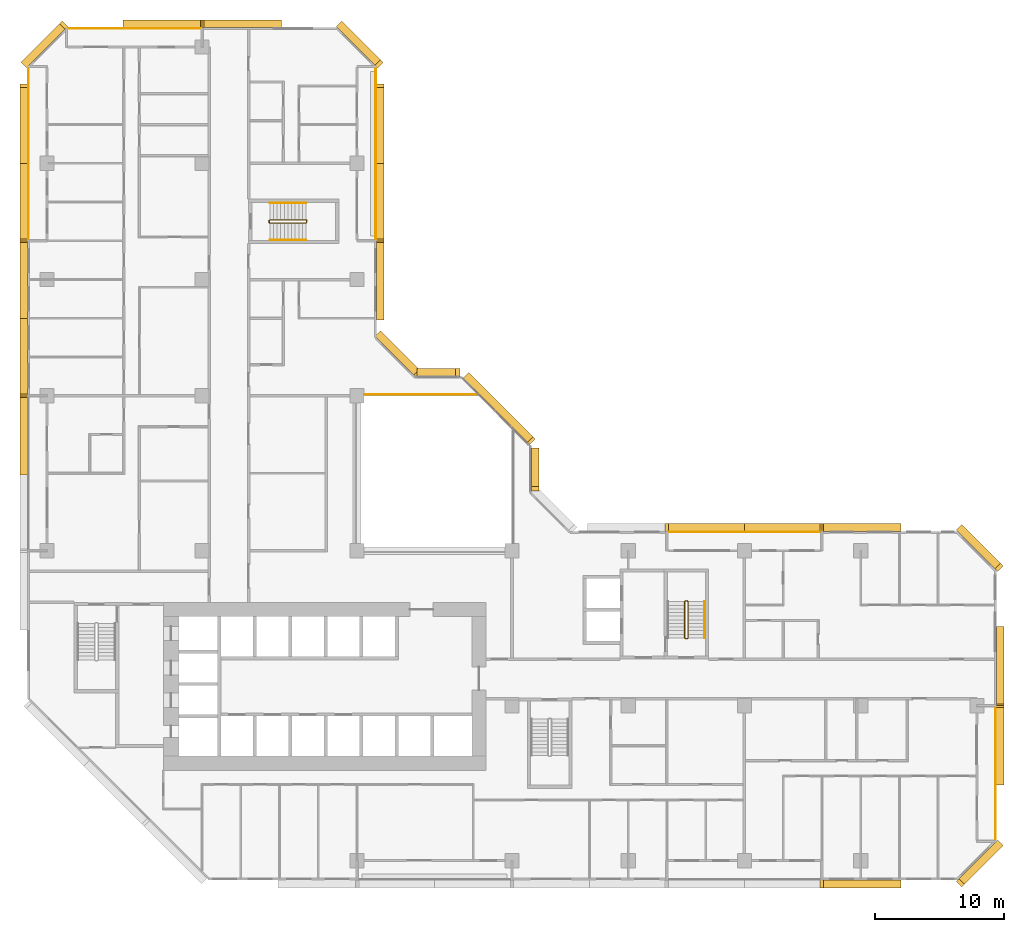
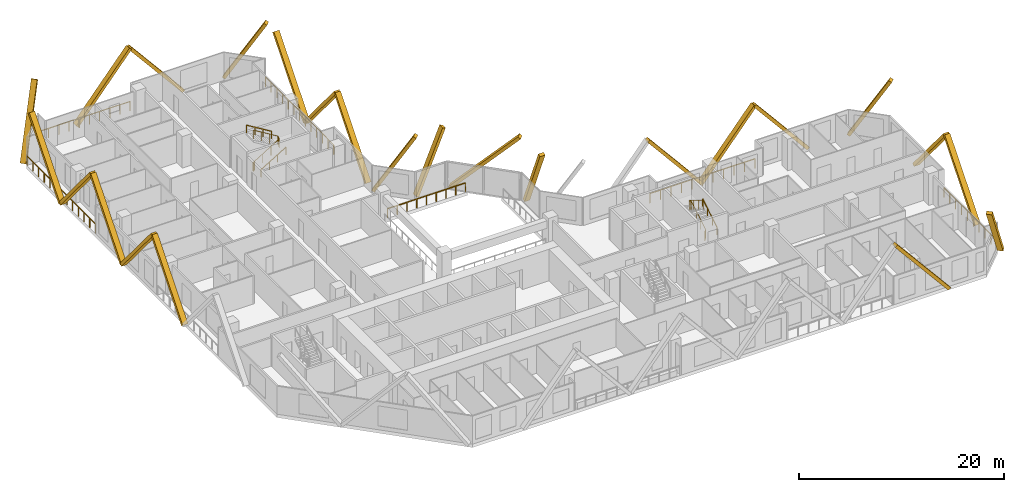
# One storey, part 15 of 15: 24 coverings, 11 railings.
"""IFC4 building model written with IfcOpenShell, lengths in metres."""

import ifcopenshell
import ifcopenshell.guid

model = None  # the IFC model being written
_history = None  # IfcOwnerHistory: only IFC2X3 demands one
_inside = {}  # id of a spatial element -> (the spatial element, [elements in it])
_under = {}  # id of a project, library or spatial element -> (it, [spatial elements below it])
_declared = {}  # id of a project -> (the project, [libraries it declares])
_typed = {}  # id of a type object -> (the type object, [elements of that type])
_made_of = {}  # id of a material, layer set ... -> (it, [elements and type objects made of it])


def new_model(schema):
    """Start an empty IFC model of exactly this schema.

    Asked for "IFC4X3", IfcOpenShell would pick the latest addendum, in which some entities
    have other attributes; the version numbers below select the first issue.
    IFC2X3 requires an IfcOwnerHistory on every rooted entity: one is made here for all.
    """
    global model, _history
    if schema == "IFC4X3":
        model = ifcopenshell.file(schema_version=(4, 3, 0, 0))
    else:
        model = ifcopenshell.file(schema=schema)
    _inside.clear()
    _under.clear()
    _declared.clear()
    _typed.clear()
    _made_of.clear()
    _history = None
    if model.schema == "IFC2X3":
        org = make("IfcOrganization", Name="unknown")
        user = make(
            "IfcPersonAndOrganization",
            ThePerson=make("IfcPerson", FamilyName="unknown"),
            TheOrganization=org,
        )
        app = make(
            "IfcApplication",
            ApplicationDeveloper=org,
            Version="unknown",
            ApplicationFullName="unknown",
            ApplicationIdentifier="unknown",
        )
        _history = make(
            "IfcOwnerHistory",
            OwningUser=user,
            OwningApplication=app,
            ChangeAction="ADDED",
            CreationDate=0,
        )
    return model


def make(cls, **values):
    """One entity of the class cls with the attributes given. An attribute that is None is left unset."""
    return model.create_entity(
        cls, **{name: value for name, value in values.items() if value is not None}
    )


def rooted(cls, **values):
    """An entity with a GlobalId (a new one), such as an element, a storey or a relation."""
    return make(cls, GlobalId=ifcopenshell.guid.new(), OwnerHistory=_history, **values)


def si_unit(unit_type, name, prefix=None):
    """IfcSIUnit, for example si_unit("LENGTHUNIT", "METRE", prefix="MILLI")."""
    return make("IfcSIUnit", UnitType=unit_type, Prefix=prefix, Name=name)


def assignment(units):
    """IfcUnitAssignment: the units of a project."""
    return None if units is None else make("IfcUnitAssignment", Units=units)


def point(xyz):
    """IfcCartesianPoint."""
    return None if xyz is None else make("IfcCartesianPoint", Coordinates=xyz)


def direction(xyz):
    """IfcDirection."""
    return None if xyz is None else make("IfcDirection", DirectionRatios=xyz)


def frame(location, z_axis=None, x_axis=None):
    """IfcAxis2Placement3D, a coordinate frame: its origin and axes. An axis left out is left unset."""
    return make(
        "IfcAxis2Placement3D",
        Location=point(location),
        Axis=direction(z_axis),
        RefDirection=direction(x_axis),
    )


def frame_2d(location, x_axis=None):
    """IfcAxis2Placement2D, a coordinate frame in the plane: its origin and x axis."""
    return make(
        "IfcAxis2Placement2D", Location=point(location), RefDirection=direction(x_axis)
    )


def origin():
    """The frame at (0, 0, 0) with its axes left unset."""
    return frame((0.0, 0.0, 0.0))


def origin_2d():
    """The frame at (0, 0) in the plane with its x axis left unset."""
    return frame_2d((0.0, 0.0))


def place(relative_to, where):
    """IfcLocalPlacement: puts the frame where relative to a parent placement (None: the world)."""
    return make(
        "IfcLocalPlacement", PlacementRelTo=relative_to, RelativePlacement=where
    )


def context(
    kind, dimensions, precision=None, world=None, true_north=None, identifier=None
):
    """IfcGeometricRepresentationContext, for example the 3D "Model" context."""
    return make(
        "IfcGeometricRepresentationContext",
        ContextIdentifier=identifier,
        ContextType=kind,
        CoordinateSpaceDimension=dimensions,
        Precision=precision,
        WorldCoordinateSystem=world,
        TrueNorth=true_north,
    )


def subcontext(parent, identifier, kind, view, scale=None):
    """IfcGeometricRepresentationSubContext, for example "Body" below "Model"."""
    return make(
        "IfcGeometricRepresentationSubContext",
        ContextIdentifier=identifier,
        ContextType=kind,
        ParentContext=parent,
        TargetScale=scale,
        TargetView=view,
    )


def project(units=None, contexts=None):
    """IfcProject with its units and contexts."""
    return rooted(
        "IfcProject",
        Name="project",
        RepresentationContexts=contexts,
        UnitsInContext=assignment(units),
    )


def spatial(cls, under=None, at=None, **own):
    """A site, building, storey or space (cls), placed at a placement, below another one or the project."""
    s = rooted(cls, ObjectPlacement=at, **own)
    if under is not None:
        _under.setdefault(under.id(), (under, []))[1].append(s)
    return s


def profile(cls, at=None, kind="AREA", **sizes):
    """A parametric profile (cls). Its sizes go by their IFC names, for example OverallWidth=200.0."""
    return make(cls, ProfileType=kind, Position=at, **sizes)


def rectangle(**sizes):
    """IfcRectangleProfileDef."""
    return profile("IfcRectangleProfileDef", **sizes)


def extrude(swept, where, along, depth):
    """IfcExtrudedAreaSolid: the profile swept, set in the frame where, extruded along a direction by depth."""
    return make(
        "IfcExtrudedAreaSolid",
        SweptArea=swept,
        Position=where,
        ExtrudedDirection=direction(along),
        Depth=depth,
    )


def shape(context_of_items, identifier, shape_type, items):
    """IfcShapeRepresentation: the items that make up one representation, for example the "Body"."""
    return make(
        "IfcShapeRepresentation",
        ContextOfItems=context_of_items,
        RepresentationIdentifier=identifier,
        RepresentationType=shape_type,
        Items=items,
    )


def material(Name=None, Category=None):
    """IfcMaterial."""
    return make("IfcMaterial", Name=Name, Category=Category)


def material_profile(
    of_material, cross_section, Name=None, Category=None, Priority=None
):
    """IfcMaterialProfile: a cross section and its material."""
    return make(
        "IfcMaterialProfile",
        Name=Name,
        Material=of_material,
        Profile=cross_section,
        Priority=Priority,
        Category=Category,
    )


def profile_set(profiles, Name=None, composite=None):
    """IfcMaterialProfileSet."""
    return make(
        "IfcMaterialProfileSet",
        Name=Name,
        MaterialProfiles=profiles,
        CompositeProfile=composite,
    )


def made_of(thing, what):
    """Note that an element or type object is made of a material, layer set ...; save() writes the relation."""
    if what is not None:
        _made_of.setdefault(what.id(), (what, []))[1].append(thing)
    return thing


def type_object(cls, material=None, **own):
    """A type object (cls), such as IfcWallType, which elements share."""
    return made_of(rooted(cls, **own), material)


def element(
    cls,
    number,
    at=None,
    inside=None,
    cuts=None,
    type_object=None,
    material=None,
    context=None,
    identifier="Body",
    shape_type=None,
    held_by="IfcProductDefinitionShape",
    body=None,
    shapes=None,
    **own,
):
    """One element of the class cls, such as IfcWall. Its Tag is "e" and its number.

    at: its placement. inside: the storey or other place that contains it. cuts: it is an
    opening in that element (IfcRelVoidsElement). A single representation is given by context,
    identifier, shape_type and body (its items); several are given by shapes. held_by: the class
    of the entity that holds the representations. save() writes the other relations.
    """
    e = rooted(cls, Tag="e%d" % number, ObjectPlacement=at, **own)
    if body is not None:
        shapes = [shape(context, identifier, shape_type, body)]
    if shapes is not None:
        e.Representation = make(held_by, Representations=shapes)
    if inside is not None:
        _inside.setdefault(inside.id(), (inside, []))[1].append(e)
    if cuts is not None:
        rooted(
            "IfcRelVoidsElement", RelatingBuildingElement=cuts, RelatedOpeningElement=e
        )
    if type_object is not None:
        _typed.setdefault(type_object.id(), (type_object, []))[1].append(e)
    return made_of(e, material)


def aggregate(whole, parts):
    """IfcRelAggregates: a whole, such as a stair, and the parts it consists of."""
    return rooted("IfcRelAggregates", RelatingObject=whole, RelatedObjects=parts)


def save(model, path):
    """Write the relations noted so far, then the file.

    IfcRelAggregates (storeys below a building ...), IfcRelContainedInSpatialStructure (elements
    in a storey), IfcRelDefinesByType, IfcRelAssociatesMaterial and IfcRelDeclares: one each for
    every whole, place, type object, material and project.
    """
    for whole, parts in _under.values():
        aggregate(whole, parts)
    for where, things in _inside.values():
        rooted(
            "IfcRelContainedInSpatialStructure",
            RelatedElements=things,
            RelatingStructure=where,
        )
    for kind, things in _typed.values():
        rooted("IfcRelDefinesByType", RelatedObjects=things, RelatingType=kind)
    for what, things in _made_of.values():
        rooted("IfcRelAssociatesMaterial", RelatedObjects=things, RelatingMaterial=what)
    for by, libraries in _declared.values():
        rooted("IfcRelDeclares", RelatingContext=by, RelatedDefinitions=libraries)
    model.write(path)


model = new_model("IFC4")

# Units and contexts
model_context = context("Model", 3, precision=1e-05, world=origin(), true_north=direction((0.0, 1.0)))
body_context = subcontext(model_context, "Body", "Model", "MODEL_VIEW")
ifc_project = project(units=[si_unit("LENGTHUNIT", "METRE"), si_unit("AREAUNIT", "SQUARE_METRE"), si_unit("VOLUMEUNIT", "CUBIC_METRE"), si_unit("PLANEANGLEUNIT", "RADIAN"), si_unit("MASSUNIT", "GRAM", prefix="KILO")], contexts=[model_context])

# Site, building, storey
site_placement = place(None, origin())
site = spatial("IfcSite", under=ifc_project, at=site_placement, CompositionType="ELEMENT")
building_placement = place(site_placement, origin())
building = spatial("IfcBuilding", under=site, at=building_placement, Name="Chenar Terraces", CompositionType="ELEMENT")
storey_placement = place(building_placement, frame((0.0, 0.0, 63.89990234375)))
storey = spatial("IfcBuildingStorey", under=building, at=storey_placement, Name="L13", CompositionType="ELEMENT", Elevation=63.89990234375)

# Railings
ifc_material_1 = material(Name="Powder-coated steel", Category="steel")
railing_type_1 = type_object("IfcRailingType", Name="Guard 1100 steel rail with glass infill", PredefinedType="GUARDRAIL", material=ifc_material_1)
railing_1_placement = place(storey_placement, frame((24.60009765625, 36.10009765625, 0.0)))
element("IfcRailing", 1, at=railing_1_placement, inside=storey, type_object=railing_type_1, Name="Guard L13-2", PredefinedType="GUARDRAIL", context=body_context, shape_type="SweptSolid", body=[
    extrude(rectangle(XDim=0.06005859375, YDim=0.06005859375, at=origin_2d()), frame((0.0, 0.0, 1.070068359375), z_axis=(1.0, 0.0, 0.0), x_axis=(0.0, 1.0, 0.0)), (0.0, 0.0, 1.0), 8.7998046875),
    extrude(rectangle(XDim=0.050048828125, YDim=0.050048828125, at=origin_2d()), origin(), (0.0, 0.0, 1.0), 1.0400390625),
    extrude(rectangle(XDim=0.050048828125, YDim=0.050048828125, at=origin_2d()), frame((1.10009765625, 0.0, 0.0)), (0.0, 0.0, 1.0), 1.0400390625),
    extrude(rectangle(XDim=0.050048828125, YDim=0.050048828125, at=origin_2d()), frame((2.199951171875, 0.0, 0.0)), (0.0, 0.0, 1.0), 1.0400390625),
    extrude(rectangle(XDim=0.050048828125, YDim=0.050048828125, at=origin_2d()), frame((3.2998046875, 0.0, 0.0)), (0.0, 0.0, 1.0), 1.0400390625),
    extrude(rectangle(XDim=0.050048828125, YDim=0.050048828125, at=origin_2d()), frame((4.39990234375, 0.0, 0.0)), (0.0, 0.0, 1.0), 1.0400390625),
    extrude(rectangle(XDim=0.050048828125, YDim=0.050048828125, at=origin_2d()), frame((5.5, 0.0, 0.0)), (0.0, 0.0, 1.0), 1.0400390625),
    extrude(rectangle(XDim=0.050048828125, YDim=0.050048828125, at=origin_2d()), frame((6.599853515625, 0.0, 0.0)), (0.0, 0.0, 1.0), 1.0400390625),
    extrude(rectangle(XDim=0.050048828125, YDim=0.050048828125, at=origin_2d()), frame((7.69970703125, 0.0, 0.0)), (0.0, 0.0, 1.0), 1.0400390625),
    extrude(rectangle(XDim=0.050048828125, YDim=0.050048828125, at=origin_2d()), frame((8.7998046875, 0.0, 0.0)), (0.0, 0.0, 1.0), 1.0400390625),
])
ifc_material_2 = material(Name="Stainless steel and glass", Category="steel")
railing_type_2 = type_object("IfcRailingType", Name="Loggia guard 1150", PredefinedType="GUARDRAIL", material=ifc_material_2)
railing_2_placement = place(storey_placement, frame((25.449951171875, 48.074951171875, 0.0)))
element("IfcRailing", 2, at=railing_2_placement, inside=storey, type_object=railing_type_2, Name="Loggia guard", PredefinedType="GUARDRAIL", context=body_context, shape_type="SweptSolid", body=[
    extrude(rectangle(XDim=0.048095703125, YDim=0.048095703125, at=origin_2d()), frame((0.0, 0.0, 1.1259765625), z_axis=(0.0, 1.0, 0.0), x_axis=(-1.0, 0.0, 0.0)), (0.0, 0.0, 1.0), 13.35009765625),
    extrude(rectangle(XDim=0.0419921875, YDim=0.0419921875, at=origin_2d()), origin(), (0.0, 0.0, 1.0), 1.101806640625),
    extrude(rectangle(XDim=0.0419921875, YDim=0.0419921875, at=origin_2d()), frame((0.0, 1.112548828125, 0.0)), (0.0, 0.0, 1.0), 1.101806640625),
    extrude(rectangle(XDim=0.0419921875, YDim=0.0419921875, at=origin_2d()), frame((0.0, 2.22509765625, 0.0)), (0.0, 0.0, 1.0), 1.101806640625),
    extrude(rectangle(XDim=0.0419921875, YDim=0.0419921875, at=origin_2d()), frame((0.0, 3.33740234375, 0.0)), (0.0, 0.0, 1.0), 1.101806640625),
    extrude(rectangle(XDim=0.0419921875, YDim=0.0419921875, at=origin_2d()), frame((0.0, 4.449951171875, 0.0)), (0.0, 0.0, 1.0), 1.101806640625),
    extrude(rectangle(XDim=0.0419921875, YDim=0.0419921875, at=origin_2d()), frame((0.0, 5.5625, 0.0)), (0.0, 0.0, 1.0), 1.101806640625),
    extrude(rectangle(XDim=0.0419921875, YDim=0.0419921875, at=origin_2d()), frame((0.0, 6.675048828125, 0.0)), (0.0, 0.0, 1.0), 1.101806640625),
    extrude(rectangle(XDim=0.0419921875, YDim=0.0419921875, at=origin_2d()), frame((0.0, 7.78759765625, 0.0)), (0.0, 0.0, 1.0), 1.101806640625),
    extrude(rectangle(XDim=0.0419921875, YDim=0.0419921875, at=origin_2d()), frame((0.0, 8.900146484375, 0.0)), (0.0, 0.0, 1.0), 1.101806640625),
    extrude(rectangle(XDim=0.0419921875, YDim=0.0419921875, at=origin_2d()), frame((0.0, 10.0126953125, 0.0)), (0.0, 0.0, 1.0), 1.101806640625),
    extrude(rectangle(XDim=0.0419921875, YDim=0.0419921875, at=origin_2d()), frame((0.0, 11.125, 0.0)), (0.0, 0.0, 1.0), 1.101806640625),
    extrude(rectangle(XDim=0.0419921875, YDim=0.0419921875, at=origin_2d()), frame((0.0, 12.237548828125, 0.0)), (0.0, 0.0, 1.0), 1.101806640625),
    extrude(rectangle(XDim=0.0419921875, YDim=0.0419921875, at=origin_2d()), frame((0.0, 13.35009765625, 0.0)), (0.0, 0.0, 1.0), 1.101806640625),
])
railing_3_placement = place(storey_placement, frame((73.449951171875, 1.574951171875, 0.0)))
element("IfcRailing", 3, at=railing_3_placement, inside=storey, type_object=railing_type_2, Name="Loggia guard", PredefinedType="GUARDRAIL", context=body_context, shape_type="SweptSolid", body=[
    extrude(rectangle(XDim=0.048095703125, YDim=0.048095703125, at=origin_2d()), frame((0.0, 0.0, 1.1259765625), z_axis=(0.0, 1.0, 0.0), x_axis=(-1.0, 0.0, 0.0)), (0.0, 0.0, 1.0), 10.35009765625),
    extrude(rectangle(XDim=0.0419921875, YDim=0.0419921875, at=origin_2d()), origin(), (0.0, 0.0, 1.0), 1.101806640625),
    extrude(rectangle(XDim=0.0419921875, YDim=0.0419921875, at=origin_2d()), frame((0.0, 1.14990234375, 0.0)), (0.0, 0.0, 1.0), 1.101806640625),
    extrude(rectangle(XDim=0.0419921875, YDim=0.0419921875, at=origin_2d()), frame((0.0, 2.300048828125, 0.0)), (0.0, 0.0, 1.0), 1.101806640625),
    extrude(rectangle(XDim=0.0419921875, YDim=0.0419921875, at=origin_2d()), frame((0.0, 3.449951171875, 0.0)), (0.0, 0.0, 1.0), 1.101806640625),
    extrude(rectangle(XDim=0.0419921875, YDim=0.0419921875, at=origin_2d()), frame((0.0, 4.60009765625, 0.0)), (0.0, 0.0, 1.0), 1.101806640625),
    extrude(rectangle(XDim=0.0419921875, YDim=0.0419921875, at=origin_2d()), frame((0.0, 5.75, 0.0)), (0.0, 0.0, 1.0), 1.101806640625),
    extrude(rectangle(XDim=0.0419921875, YDim=0.0419921875, at=origin_2d()), frame((0.0, 6.900146484375, 0.0)), (0.0, 0.0, 1.0), 1.101806640625),
    extrude(rectangle(XDim=0.0419921875, YDim=0.0419921875, at=origin_2d()), frame((0.0, 8.050048828125, 0.0)), (0.0, 0.0, 1.0), 1.101806640625),
    extrude(rectangle(XDim=0.0419921875, YDim=0.0419921875, at=origin_2d()), frame((0.0, 9.2001953125, 0.0)), (0.0, 0.0, 1.0), 1.101806640625),
    extrude(rectangle(XDim=0.0419921875, YDim=0.0419921875, at=origin_2d()), frame((0.0, 10.35009765625, 0.0)), (0.0, 0.0, 1.0), 1.101806640625),
])
railing_4_placement = place(storey_placement, frame((59.925048828125, 25.449951171875, 0.0)))
element("IfcRailing", 4, at=railing_4_placement, inside=storey, type_object=railing_type_2, Name="Loggia guard", PredefinedType="GUARDRAIL", context=body_context, shape_type="SweptSolid", body=[
    extrude(rectangle(XDim=0.048095703125, YDim=0.048095703125, at=origin_2d()), frame((0.0, 0.0, 1.1259765625), z_axis=(-1.0, 0.0, 0.0), x_axis=(0.0, -1.0, 0.0)), (0.0, 0.0, 1.0), 11.85009765625),
    extrude(rectangle(XDim=0.0419921875, YDim=0.0419921875, at=origin_2d()), origin(), (0.0, 0.0, 1.0), 1.101806640625),
    extrude(rectangle(XDim=0.0419921875, YDim=0.0419921875, at=origin_2d()), frame((-1.18505859375, 0.0, 0.0)), (0.0, 0.0, 1.0), 1.101806640625),
    extrude(rectangle(XDim=0.0419921875, YDim=0.0419921875, at=origin_2d()), frame((-2.3701171875, 0.0, 0.0)), (0.0, 0.0, 1.0), 1.101806640625),
    extrude(rectangle(XDim=0.0419921875, YDim=0.0419921875, at=origin_2d()), frame((-3.554931640625, 0.0, 0.0)), (0.0, 0.0, 1.0), 1.101806640625),
    extrude(rectangle(XDim=0.0419921875, YDim=0.0419921875, at=origin_2d()), frame((-4.739990234375, 0.0, 0.0)), (0.0, 0.0, 1.0), 1.101806640625),
    extrude(rectangle(XDim=0.0419921875, YDim=0.0419921875, at=origin_2d()), frame((-5.925048828125, 0.0, 0.0)), (0.0, 0.0, 1.0), 1.101806640625),
    extrude(rectangle(XDim=0.0419921875, YDim=0.0419921875, at=origin_2d()), frame((-7.110107421875, 0.0, 0.0)), (0.0, 0.0, 1.0), 1.101806640625),
    extrude(rectangle(XDim=0.0419921875, YDim=0.0419921875, at=origin_2d()), frame((-8.295166015625, 0.0, 0.0)), (0.0, 0.0, 1.0), 1.101806640625),
    extrude(rectangle(XDim=0.0419921875, YDim=0.0419921875, at=origin_2d()), frame((-9.47998046875, 0.0, 0.0)), (0.0, 0.0, 1.0), 1.101806640625),
    extrude(rectangle(XDim=0.0419921875, YDim=0.0419921875, at=origin_2d()), frame((-10.6650390625, 0.0, 0.0)), (0.0, 0.0, 1.0), 1.101806640625),
    extrude(rectangle(XDim=0.0419921875, YDim=0.0419921875, at=origin_2d()), frame((-11.85009765625, 0.0, 0.0)), (0.0, 0.0, 1.0), 1.101806640625),
])
railing_5_placement = place(storey_placement, frame((11.925048828125, 64.449951171875, 0.0)))
element("IfcRailing", 5, at=railing_5_placement, inside=storey, type_object=railing_type_2, Name="Loggia guard", PredefinedType="GUARDRAIL", context=body_context, shape_type="SweptSolid", body=[
    extrude(rectangle(XDim=0.048095703125, YDim=0.048095703125, at=origin_2d()), frame((0.0, 0.0, 1.1259765625), z_axis=(-1.0, 0.0, 0.0), x_axis=(0.0, -1.0, 0.0)), (0.0, 0.0, 1.0), 10.35009765625),
    extrude(rectangle(XDim=0.0419921875, YDim=0.0419921875, at=origin_2d()), origin(), (0.0, 0.0, 1.0), 1.101806640625),
    extrude(rectangle(XDim=0.0419921875, YDim=0.0419921875, at=origin_2d()), frame((-1.14990234375, 0.0, 0.0)), (0.0, 0.0, 1.0), 1.101806640625),
    extrude(rectangle(XDim=0.0419921875, YDim=0.0419921875, at=origin_2d()), frame((-2.300048828125, 0.0, 0.0)), (0.0, 0.0, 1.0), 1.101806640625),
    extrude(rectangle(XDim=0.0419921875, YDim=0.0419921875, at=origin_2d()), frame((-3.449951171875, 0.0, 0.0)), (0.0, 0.0, 1.0), 1.101806640625),
    extrude(rectangle(XDim=0.0419921875, YDim=0.0419921875, at=origin_2d()), frame((-4.60009765625, 0.0, 0.0)), (0.0, 0.0, 1.0), 1.101806640625),
    extrude(rectangle(XDim=0.0419921875, YDim=0.0419921875, at=origin_2d()), frame((-5.75, 0.0, 0.0)), (0.0, 0.0, 1.0), 1.101806640625),
    extrude(rectangle(XDim=0.0419921875, YDim=0.0419921875, at=origin_2d()), frame((-6.900146484375, 0.0, 0.0)), (0.0, 0.0, 1.0), 1.101806640625),
    extrude(rectangle(XDim=0.0419921875, YDim=0.0419921875, at=origin_2d()), frame((-8.050048828125, 0.0, 0.0)), (0.0, 0.0, 1.0), 1.101806640625),
    extrude(rectangle(XDim=0.0419921875, YDim=0.0419921875, at=origin_2d()), frame((-9.2001953125, 0.0, 0.0)), (0.0, 0.0, 1.0), 1.101806640625),
    extrude(rectangle(XDim=0.0419921875, YDim=0.0419921875, at=origin_2d()), frame((-10.35009765625, 0.0, 0.0)), (0.0, 0.0, 1.0), 1.101806640625),
])
railing_6_placement = place(storey_placement, frame((-1.449951171875, 61.425048828125, 0.0)))
element("IfcRailing", 6, at=railing_6_placement, inside=storey, type_object=railing_type_2, Name="Loggia guard", PredefinedType="GUARDRAIL", context=body_context, shape_type="SweptSolid", body=[
    extrude(rectangle(XDim=0.048095703125, YDim=0.048095703125, at=origin_2d()), frame((0.0, 0.0, 1.1259765625), z_axis=(0.0, -1.0, 0.0), x_axis=(1.0, 0.0, 0.0)), (0.0, 0.0, 1.0), 13.35009765625),
    extrude(rectangle(XDim=0.0419921875, YDim=0.0419921875, at=origin_2d()), origin(), (0.0, 0.0, 1.0), 1.101806640625),
    extrude(rectangle(XDim=0.0419921875, YDim=0.0419921875, at=origin_2d()), frame((0.0, -1.112548828125, 0.0)), (0.0, 0.0, 1.0), 1.101806640625),
    extrude(rectangle(XDim=0.0419921875, YDim=0.0419921875, at=origin_2d()), frame((0.0, -2.22509765625, 0.0)), (0.0, 0.0, 1.0), 1.101806640625),
    extrude(rectangle(XDim=0.0419921875, YDim=0.0419921875, at=origin_2d()), frame((0.0, -3.33740234375, 0.0)), (0.0, 0.0, 1.0), 1.101806640625),
    extrude(rectangle(XDim=0.0419921875, YDim=0.0419921875, at=origin_2d()), frame((0.0, -4.449951171875, 0.0)), (0.0, 0.0, 1.0), 1.101806640625),
    extrude(rectangle(XDim=0.0419921875, YDim=0.0419921875, at=origin_2d()), frame((0.0, -5.5625, 0.0)), (0.0, 0.0, 1.0), 1.101806640625),
    extrude(rectangle(XDim=0.0419921875, YDim=0.0419921875, at=origin_2d()), frame((0.0, -6.675048828125, 0.0)), (0.0, 0.0, 1.0), 1.101806640625),
    extrude(rectangle(XDim=0.0419921875, YDim=0.0419921875, at=origin_2d()), frame((0.0, -7.78759765625, 0.0)), (0.0, 0.0, 1.0), 1.101806640625),
    extrude(rectangle(XDim=0.0419921875, YDim=0.0419921875, at=origin_2d()), frame((0.0, -8.900146484375, 0.0)), (0.0, 0.0, 1.0), 1.101806640625),
    extrude(rectangle(XDim=0.0419921875, YDim=0.0419921875, at=origin_2d()), frame((0.0, -10.0126953125, 0.0)), (0.0, 0.0, 1.0), 1.101806640625),
    extrude(rectangle(XDim=0.0419921875, YDim=0.0419921875, at=origin_2d()), frame((0.0, -11.125, 0.0)), (0.0, 0.0, 1.0), 1.101806640625),
    extrude(rectangle(XDim=0.0419921875, YDim=0.0419921875, at=origin_2d()), frame((0.0, -12.237548828125, 0.0)), (0.0, 0.0, 1.0), 1.101806640625),
    extrude(rectangle(XDim=0.0419921875, YDim=0.0419921875, at=origin_2d()), frame((0.0, -13.35009765625, 0.0)), (0.0, 0.0, 1.0), 1.101806640625),
])
ifc_material_3 = material(Name="Powder-coated steel", Category="steel")
railing_type_3 = type_object("IfcRailingType", Name="Stair guard 1100", PredefinedType="GUARDRAIL", material=ifc_material_3)
railing_7_placement = place(storey_placement, frame((49.375, 17.25, 3.75)))
element("IfcRailing", 7, at=railing_7_placement, inside=storey, type_object=railing_type_3, Name="L13 ST3 stair guard 1", PredefinedType="GUARDRAIL", context=body_context, shape_type="SweptSolid", body=[
    extrude(rectangle(XDim=0.048095703125, YDim=0.048095703125, at=origin_2d()), frame((0.0, 0.0, 1.076171875), z_axis=(0.0, 0.854202870247, -0.519939858505), x_axis=(-1.0, 0.0, 0.0)), (0.0, 0.0, 1.0), 3.278076171875),
    extrude(rectangle(XDim=0.048095703125, YDim=0.048095703125, at=origin_2d()), frame((0.0, 2.800048828125, -0.62841796875), z_axis=(0.270899902878, 0.270899902878, -0.923702595667), x_axis=(-0.707106781187, 0.707106781187, 0.0)), (0.0, 0.0, 1.0), 0.184814453125),
    extrude(rectangle(XDim=0.048095703125, YDim=0.048095703125, at=origin_2d()), frame((0.050048828125, 2.85009765625, -0.798828125), z_axis=(1.0, 0.0, 0.0), x_axis=(0.0, 1.0, 0.0)), (0.0, 0.0, 1.0), 0.14990234375),
    extrude(rectangle(XDim=0.048095703125, YDim=0.048095703125, at=origin_2d()), frame((0.199951171875, 2.85009765625, -0.798828125), z_axis=(0.707106781187, -0.707106781187, 0.0), x_axis=(0.707106781187, 0.707106781187, 0.0)), (0.0, 0.0, 1.0), 0.07080078125),
    extrude(rectangle(XDim=0.048095703125, YDim=0.048095703125, at=origin_2d()), frame((0.25, 2.800048828125, -0.798828125), z_axis=(0.0, -0.854202870247, -0.519939858505), x_axis=(1.0, 0.0, 0.0)), (0.0, 0.0, 1.0), 3.278076171875),
    extrude(rectangle(XDim=0.048095703125, YDim=0.048095703125, at=origin_2d()), frame((0.25, 0.0, -2.50341796875), z_axis=(-0.270899902878, -0.270899902878, -0.923702595667), x_axis=(0.707106781187, -0.707106781187, 0.0)), (0.0, 0.0, 1.0), 0.184814453125),
    extrude(rectangle(XDim=0.048095703125, YDim=0.048095703125, at=origin_2d()), frame((0.199951171875, -0.050048828125, -2.673828125), z_axis=(-1.0, 0.0, 0.0), x_axis=(0.0, -1.0, 0.0)), (0.0, 0.0, 1.0), 0.14990234375),
    extrude(rectangle(XDim=0.0419921875, YDim=0.0419921875, at=origin_2d()), origin(), (0.0, 0.0, 1.0), 1.052001953125),
    extrude(rectangle(XDim=0.0419921875, YDim=0.0419921875, at=origin_2d()), frame((0.0, 0.933349609375, -0.568115234375)), (0.0, 0.0, 1.0), 1.052001953125),
    extrude(rectangle(XDim=0.0419921875, YDim=0.0419921875, at=origin_2d()), frame((0.0, 1.86669921875, -1.13623046875)), (0.0, 0.0, 1.0), 1.052001953125),
    extrude(rectangle(XDim=0.0419921875, YDim=0.0419921875, at=origin_2d()), frame((0.0, 2.800048828125, -1.704345703125)), (0.0, 0.0, 1.0), 1.052001953125),
    extrude(rectangle(XDim=0.0419921875, YDim=0.0419921875, at=origin_2d()), frame((0.050048828125, 2.85009765625, -1.875)), (0.0, 0.0, 1.0), 1.052001953125),
    extrude(rectangle(XDim=0.0419921875, YDim=0.0419921875, at=origin_2d()), frame((0.199951171875, 2.85009765625, -1.875)), (0.0, 0.0, 1.0), 1.052001953125),
    extrude(rectangle(XDim=0.0419921875, YDim=0.0419921875, at=origin_2d()), frame((0.25, 2.800048828125, -1.875)), (0.0, 0.0, 1.0), 1.052001953125),
    extrude(rectangle(XDim=0.0419921875, YDim=0.0419921875, at=origin_2d()), frame((0.25, 1.86669921875, -2.443115234375)), (0.0, 0.0, 1.0), 1.052001953125),
    extrude(rectangle(XDim=0.0419921875, YDim=0.0419921875, at=origin_2d()), frame((0.25, 0.933349609375, -3.01123046875)), (0.0, 0.0, 1.0), 1.052001953125),
    extrude(rectangle(XDim=0.0419921875, YDim=0.0419921875, at=origin_2d()), frame((0.25, 0.0, -3.579345703125)), (0.0, 0.0, 1.0), 1.052001953125),
    extrude(rectangle(XDim=0.0419921875, YDim=0.0419921875, at=origin_2d()), frame((0.199951171875, -0.050048828125, -3.75)), (0.0, 0.0, 1.0), 1.052001953125),
    extrude(rectangle(XDim=0.0419921875, YDim=0.0419921875, at=origin_2d()), frame((0.050048828125, -0.050048828125, -3.75)), (0.0, 0.0, 1.0), 1.052001953125),
])
railing_8_placement = place(storey_placement, frame((17.25, 49.625, 3.75)))
element("IfcRailing", 8, at=railing_8_placement, inside=storey, type_object=railing_type_3, Name="L13 ST4 stair guard 1", PredefinedType="GUARDRAIL", context=body_context, shape_type="SweptSolid", body=[
    extrude(rectangle(XDim=0.048095703125, YDim=0.048095703125, at=origin_2d()), frame((0.0, 0.0, 1.076171875), z_axis=(0.854202870247, 0.0, -0.519939858505), x_axis=(0.0, 1.0, 0.0)), (0.0, 0.0, 1.0), 3.278076171875),
    extrude(rectangle(XDim=0.048095703125, YDim=0.048095703125, at=origin_2d()), frame((2.800048828125, 0.0, -0.62841796875), z_axis=(0.270899902878, -0.270899902878, -0.923702595667), x_axis=(0.707106781187, 0.707106781187, 0.0)), (0.0, 0.0, 1.0), 0.184814453125),
    extrude(rectangle(XDim=0.048095703125, YDim=0.048095703125, at=origin_2d()), frame((2.85009765625, -0.050048828125, -0.798828125), z_axis=(0.0, -1.0, 0.0), x_axis=(1.0, 0.0, 0.0)), (0.0, 0.0, 1.0), 0.14990234375),
    extrude(rectangle(XDim=0.048095703125, YDim=0.048095703125, at=origin_2d()), frame((2.85009765625, -0.199951171875, -0.798828125), z_axis=(-0.707106781187, -0.707106781187, 0.0), x_axis=(0.707106781187, -0.707106781187, 0.0)), (0.0, 0.0, 1.0), 0.07080078125),
    extrude(rectangle(XDim=0.048095703125, YDim=0.048095703125, at=origin_2d()), frame((2.800048828125, -0.25, -0.798828125), z_axis=(-0.854202870247, 0.0, -0.519939858505), x_axis=(0.0, -1.0, 0.0)), (0.0, 0.0, 1.0), 3.278076171875),
    extrude(rectangle(XDim=0.048095703125, YDim=0.048095703125, at=origin_2d()), frame((0.0, -0.25, -2.50341796875), z_axis=(-0.270899902878, 0.270899902878, -0.923702595667), x_axis=(-0.707106781187, -0.707106781187, 0.0)), (0.0, 0.0, 1.0), 0.184814453125),
    extrude(rectangle(XDim=0.048095703125, YDim=0.048095703125, at=origin_2d()), frame((-0.050048828125, -0.199951171875, -2.673828125), z_axis=(0.0, 1.0, 0.0), x_axis=(-1.0, 0.0, 0.0)), (0.0, 0.0, 1.0), 0.14990234375),
    extrude(rectangle(XDim=0.0419921875, YDim=0.0419921875, at=origin_2d()), origin(), (0.0, 0.0, 1.0), 1.052001953125),
    extrude(rectangle(XDim=0.0419921875, YDim=0.0419921875, at=origin_2d()), frame((0.933349609375, 0.0, -0.568115234375)), (0.0, 0.0, 1.0), 1.052001953125),
    extrude(rectangle(XDim=0.0419921875, YDim=0.0419921875, at=origin_2d()), frame((1.86669921875, 0.0, -1.13623046875)), (0.0, 0.0, 1.0), 1.052001953125),
    extrude(rectangle(XDim=0.0419921875, YDim=0.0419921875, at=origin_2d()), frame((2.800048828125, 0.0, -1.704345703125)), (0.0, 0.0, 1.0), 1.052001953125),
    extrude(rectangle(XDim=0.0419921875, YDim=0.0419921875, at=origin_2d()), frame((2.85009765625, -0.050048828125, -1.875)), (0.0, 0.0, 1.0), 1.052001953125),
    extrude(rectangle(XDim=0.0419921875, YDim=0.0419921875, at=origin_2d()), frame((2.85009765625, -0.199951171875, -1.875)), (0.0, 0.0, 1.0), 1.052001953125),
    extrude(rectangle(XDim=0.0419921875, YDim=0.0419921875, at=origin_2d()), frame((2.800048828125, -0.25, -1.875)), (0.0, 0.0, 1.0), 1.052001953125),
    extrude(rectangle(XDim=0.0419921875, YDim=0.0419921875, at=origin_2d()), frame((1.86669921875, -0.25, -2.443115234375)), (0.0, 0.0, 1.0), 1.052001953125),
    extrude(rectangle(XDim=0.0419921875, YDim=0.0419921875, at=origin_2d()), frame((0.933349609375, -0.25, -3.01123046875)), (0.0, 0.0, 1.0), 1.052001953125),
    extrude(rectangle(XDim=0.0419921875, YDim=0.0419921875, at=origin_2d()), frame((0.0, -0.25, -3.579345703125)), (0.0, 0.0, 1.0), 1.052001953125),
    extrude(rectangle(XDim=0.0419921875, YDim=0.0419921875, at=origin_2d()), frame((-0.050048828125, -0.199951171875, -3.75)), (0.0, 0.0, 1.0), 1.052001953125),
    extrude(rectangle(XDim=0.0419921875, YDim=0.0419921875, at=origin_2d()), frame((-0.050048828125, -0.050048828125, -3.75)), (0.0, 0.0, 1.0), 1.052001953125),
])
ifc_material_4 = material(Name="Powder-coated steel", Category="steel")
railing_type_4 = type_object("IfcRailingType", Name="Stair handrail 900", PredefinedType="HANDRAIL", material=ifc_material_4)
railing_9_placement = place(storey_placement, frame((50.925048828125, 17.25, 0.170654296875)))
element("IfcRailing", 9, at=railing_9_placement, inside=storey, type_object=railing_type_4, Name="L13 ST3 stair handrail 1", PredefinedType="HANDRAIL", context=body_context, shape_type="SweptSolid", body=[
    extrude(rectangle(XDim=0.048095703125, YDim=0.048095703125, at=origin_2d()), frame((0.0, 0.0, 0.8759765625), z_axis=(0.0, 0.854202870247, 0.519939858505), x_axis=(-1.0, 0.0, 0.0)), (0.0, 0.0, 1.0), 3.278076171875),
    extrude(rectangle(XDim=0.0419921875, YDim=0.0419921875, at=origin_2d()), origin(), (0.0, 0.0, 1.0), 0.851806640625),
    extrude(rectangle(XDim=0.0419921875, YDim=0.0419921875, at=origin_2d()), frame((0.0, 0.933349609375, 0.568115234375)), (0.0, 0.0, 1.0), 0.851806640625),
    extrude(rectangle(XDim=0.0419921875, YDim=0.0419921875, at=origin_2d()), frame((0.0, 1.86669921875, 1.13623046875)), (0.0, 0.0, 1.0), 0.851806640625),
    extrude(rectangle(XDim=0.0419921875, YDim=0.0419921875, at=origin_2d()), frame((0.0, 2.800048828125, 1.704345703125)), (0.0, 0.0, 1.0), 0.851806640625),
])
railing_10_placement = place(storey_placement, frame((17.25, 48.074951171875, 0.170654296875)))
element("IfcRailing", 10, at=railing_10_placement, inside=storey, type_object=railing_type_4, Name="L13 ST4 stair handrail 1", PredefinedType="HANDRAIL", context=body_context, shape_type="SweptSolid", body=[
    extrude(rectangle(XDim=0.048095703125, YDim=0.048095703125, at=origin_2d()), frame((0.0, 0.0, 0.8759765625), z_axis=(0.854202870247, 0.0, 0.519939858505), x_axis=(0.0, 1.0, 0.0)), (0.0, 0.0, 1.0), 3.278076171875),
    extrude(rectangle(XDim=0.0419921875, YDim=0.0419921875, at=origin_2d()), origin(), (0.0, 0.0, 1.0), 0.851806640625),
    extrude(rectangle(XDim=0.0419921875, YDim=0.0419921875, at=origin_2d()), frame((0.933349609375, 0.0, 0.568115234375)), (0.0, 0.0, 1.0), 0.851806640625),
    extrude(rectangle(XDim=0.0419921875, YDim=0.0419921875, at=origin_2d()), frame((1.86669921875, 0.0, 1.13623046875)), (0.0, 0.0, 1.0), 0.851806640625),
    extrude(rectangle(XDim=0.0419921875, YDim=0.0419921875, at=origin_2d()), frame((2.800048828125, 0.0, 1.704345703125)), (0.0, 0.0, 1.0), 0.851806640625),
])
railing_11_placement = place(storey_placement, frame((20.050048828125, 50.925048828125, 2.045654296875)))
element("IfcRailing", 11, at=railing_11_placement, inside=storey, type_object=railing_type_4, Name="L13 ST4 stair handrail 2", PredefinedType="HANDRAIL", context=body_context, shape_type="SweptSolid", body=[
    extrude(rectangle(XDim=0.048095703125, YDim=0.048095703125, at=origin_2d()), frame((0.0, 0.0, 0.8759765625), z_axis=(-0.854202870247, 0.0, 0.519939858505), x_axis=(0.0, -1.0, 0.0)), (0.0, 0.0, 1.0), 3.278076171875),
    extrude(rectangle(XDim=0.0419921875, YDim=0.0419921875, at=origin_2d()), origin(), (0.0, 0.0, 1.0), 0.851806640625),
    extrude(rectangle(XDim=0.0419921875, YDim=0.0419921875, at=origin_2d()), frame((-0.933349609375, 0.0, 0.568115234375)), (0.0, 0.0, 1.0), 0.851806640625),
    extrude(rectangle(XDim=0.0419921875, YDim=0.0419921875, at=origin_2d()), frame((-1.86669921875, 0.0, 1.13623046875)), (0.0, 0.0, 1.0), 0.851806640625),
    extrude(rectangle(XDim=0.0419921875, YDim=0.0419921875, at=origin_2d()), frame((-2.800048828125, 0.0, 1.704345703125)), (0.0, 0.0, 1.0), 0.851806640625),
])

# Coverings
ifc_material_5 = material(Name="Terracotta", Category="masonry")
ifc_material_profile = material_profile(ifc_material_5, rectangle(XDim=0.60009765625, YDim=0.35009765625, at=origin_2d()), Name="Terracotta baguette 600 x 350")
ifc_profile_set = profile_set([ifc_material_profile], Name="Terracotta")
covering_type = type_object("IfcCoveringType", Name="Terracotta baguette 600 x 350", PredefinedType="CLADDING", material=ifc_profile_set)
for number, where, z_axis, x_axis, name in (
    (12, (66.0, 25.800048828125, 0.150146484375), (-0.640186961885, 0.0, 0.768219144407), (0.0, -1.0, 0.0), "Terracotta baguette"),
    (13, (60.0, 25.800048828125, 7.35009765625), (-0.640186961885, 0.0, -0.768219144407), (0.0, -1.0, 0.0), "Terracotta baguette"),
    (14, (54.0, 25.800048828125, 0.150146484375), (-0.640186961885, 0.0, 0.768219144407), (0.0, -1.0, 0.0), "Terracotta baguette"),
):
    element("IfcCovering", number, at=place(storey_placement, frame(where, z_axis=z_axis, x_axis=x_axis)), inside=storey, type_object=covering_type, Name=name, PredefinedType="CLADDING", context=body_context, shape_type="SweptSolid", body=[
        extrude(rectangle(XDim=0.60009765625, YDim=0.35009765625, at=origin_2d()), origin(), (0.0, 0.0, 1.0), 9.372314453125),
    ])
covering_1_placement = place(storey_placement, frame((37.800048828125, 28.800048828125, 7.35009765625), z_axis=(0.0, 0.384617607118, -0.923075997031), x_axis=(-1.0, 0.0, 0.0)))
element("IfcCovering", 15, at=covering_1_placement, inside=storey, type_object=covering_type, Name="Terracotta baguette", PredefinedType="CLADDING", context=body_context, shape_type="SweptSolid", body=[
    extrude(rectangle(XDim=0.60009765625, YDim=0.35009765625, at=origin_2d()), origin(), (0.0, 0.0, 1.0), 7.800048828125),
])
covering_2_placement = place(storey_placement, frame((37.5, 32.524169921875, 7.35009765625), z_axis=(-0.494240720479, 0.494240720479, -0.715158877761), x_axis=(-0.707106781187, -0.707106781187, 0.0)))
element("IfcCovering", 16, at=covering_2_placement, inside=storey, type_object=covering_type, Name="Terracotta baguette", PredefinedType="CLADDING", context=body_context, shape_type="SweptSolid", body=[
    extrude(rectangle(XDim=0.60009765625, YDim=0.35009765625, at=origin_2d()), origin(), (0.0, 0.0, 1.0), 10.067626953125),
])
covering_3_placement = place(storey_placement, frame((31.800048828125, 37.800048828125, 7.35009765625), z_axis=(-0.384617607118, 0.0, -0.923075997031), x_axis=(0.0, -1.0, 0.0)))
element("IfcCovering", 17, at=covering_3_placement, inside=storey, type_object=covering_type, Name="Terracotta baguette", PredefinedType="CLADDING", context=body_context, shape_type="SweptSolid", body=[
    extrude(rectangle(XDim=0.60009765625, YDim=0.35009765625, at=origin_2d()), origin(), (0.0, 0.0, 1.0), 7.800048828125),
])
covering_4_placement = place(storey_placement, frame((28.712158203125, 37.712158203125, 7.35009765625), z_axis=(-0.358980886355, 0.358980886355, -0.861548284464), x_axis=(-0.707106781187, -0.707106781187, 0.0)))
element("IfcCovering", 18, at=covering_4_placement, inside=storey, type_object=covering_type, Name="Terracotta baguette", PredefinedType="CLADDING", context=body_context, shape_type="SweptSolid", body=[
    extrude(rectangle(XDim=0.60009765625, YDim=0.35009765625, at=origin_2d()), origin(), (0.0, 0.0, 1.0), 8.35693359375),
])
for number, where, z_axis, x_axis, name in (
    (19, (25.800048828125, 42.0, 0.150146484375), (0.0, 0.640186961885, 0.768219144407), (-1.0, 0.0, 0.0), "Terracotta baguette"),
    (20, (25.800048828125, 48.0, 7.35009765625), (0.0, 0.640186961885, -0.768219144407), (-1.0, 0.0, 0.0), "Terracotta baguette"),
    (21, (25.800048828125, 54.0, 0.150146484375), (0.0, 0.640186961885, 0.768219144407), (-1.0, 0.0, 0.0), "Terracotta baguette"),
):
    element("IfcCovering", number, at=place(storey_placement, frame(where, z_axis=z_axis, x_axis=x_axis)), inside=storey, type_object=covering_type, Name=name, PredefinedType="CLADDING", context=body_context, shape_type="SweptSolid", body=[
        extrude(rectangle(XDim=0.60009765625, YDim=0.35009765625, at=origin_2d()), origin(), (0.0, 0.0, 1.0), 9.372314453125),
    ])
covering_5_placement = place(storey_placement, frame((25.712158203125, 61.712158203125, 7.35009765625), z_axis=(-0.358980886355, 0.358980886355, -0.861548284464), x_axis=(-0.707106781187, -0.707106781187, 0.0)))
element("IfcCovering", 22, at=covering_5_placement, inside=storey, type_object=covering_type, Name="Terracotta baguette", PredefinedType="CLADDING", context=body_context, shape_type="SweptSolid", body=[
    extrude(rectangle(XDim=0.60009765625, YDim=0.35009765625, at=origin_2d()), origin(), (0.0, 0.0, 1.0), 8.35693359375),
])
for number, where, z_axis, x_axis, name in (
    (23, (18.0, 64.800048828125, 0.150146484375), (-0.640186961885, 0.0, 0.768219144407), (0.0, -1.0, 0.0), "Terracotta baguette"),
    (24, (12.0, 64.800048828125, 7.35009765625), (-0.640186961885, 0.0, -0.768219144407), (0.0, -1.0, 0.0), "Terracotta baguette"),
):
    element("IfcCovering", number, at=place(storey_placement, frame(where, z_axis=z_axis, x_axis=x_axis)), inside=storey, type_object=covering_type, Name=name, PredefinedType="CLADDING", context=body_context, shape_type="SweptSolid", body=[
        extrude(rectangle(XDim=0.60009765625, YDim=0.35009765625, at=origin_2d()), origin(), (0.0, 0.0, 1.0), 9.372314453125),
    ])
covering_6_placement = place(storey_placement, frame((1.287841796875, 64.712158203125, 7.35009765625), z_axis=(-0.358980886355, -0.358980886355, -0.861548284464), x_axis=(0.707106781187, -0.707106781187, 0.0)))
element("IfcCovering", 25, at=covering_6_placement, inside=storey, type_object=covering_type, Name="Terracotta baguette", PredefinedType="CLADDING", context=body_context, shape_type="SweptSolid", body=[
    extrude(rectangle(XDim=0.60009765625, YDim=0.35009765625, at=origin_2d()), origin(), (0.0, 0.0, 1.0), 8.35693359375),
])
for number, where, z_axis, x_axis, name in (
    (26, (-1.800048828125, 60.0, 7.35009765625), (0.0, -0.640186961885, -0.768219144407), (1.0, 0.0, 0.0), "Terracotta baguette"),
    (27, (-1.800048828125, 54.0, 0.150146484375), (0.0, -0.640186961885, 0.768219144407), (1.0, 0.0, 0.0), "Terracotta baguette"),
    (28, (-1.800048828125, 48.0, 7.35009765625), (0.0, -0.640186961885, -0.768219144407), (1.0, 0.0, 0.0), "Terracotta baguette"),
    (29, (-1.800048828125, 42.0, 0.150146484375), (0.0, -0.640186961885, 0.768219144407), (1.0, 0.0, 0.0), "Terracotta baguette"),
    (30, (-1.800048828125, 36.0, 7.35009765625), (0.0, -0.640186961885, -0.768219144407), (1.0, 0.0, 0.0), "Terracotta baguette"),
    (31, (60.0, -1.800048828125, 7.35009765625), (0.640186961885, 0.0, -0.768219144407), (0.0, 1.0, 0.0), "Terracotta baguette"),
):
    element("IfcCovering", number, at=place(storey_placement, frame(where, z_axis=z_axis, x_axis=x_axis)), inside=storey, type_object=covering_type, Name=name, PredefinedType="CLADDING", context=body_context, shape_type="SweptSolid", body=[
        extrude(rectangle(XDim=0.60009765625, YDim=0.35009765625, at=origin_2d()), origin(), (0.0, 0.0, 1.0), 9.372314453125),
    ])
covering_7_placement = place(storey_placement, frame((70.712158203125, -1.712158203125, 7.35009765625), z_axis=(0.358980886355, 0.358980886355, -0.861548284464), x_axis=(-0.707106781187, 0.707106781187, 0.0)))
element("IfcCovering", 32, at=covering_7_placement, inside=storey, type_object=covering_type, Name="Terracotta baguette", PredefinedType="CLADDING", context=body_context, shape_type="SweptSolid", body=[
    extrude(rectangle(XDim=0.60009765625, YDim=0.35009765625, at=origin_2d()), origin(), (0.0, 0.0, 1.0), 8.35693359375),
])
for number, where, z_axis, x_axis, name in (
    (33, (73.800048828125, 6.0, 0.150146484375), (0.0, 0.640186961885, 0.768219144407), (-1.0, 0.0, 0.0), "Terracotta baguette"),
    (34, (73.800048828125, 12.0, 7.35009765625), (0.0, 0.640186961885, -0.768219144407), (-1.0, 0.0, 0.0), "Terracotta baguette"),
):
    element("IfcCovering", number, at=place(storey_placement, frame(where, z_axis=z_axis, x_axis=x_axis)), inside=storey, type_object=covering_type, Name=name, PredefinedType="CLADDING", context=body_context, shape_type="SweptSolid", body=[
        extrude(rectangle(XDim=0.60009765625, YDim=0.35009765625, at=origin_2d()), origin(), (0.0, 0.0, 1.0), 9.372314453125),
    ])
covering_8_placement = place(storey_placement, frame((73.712158203125, 22.712158203125, 7.35009765625), z_axis=(-0.358980886355, 0.358980886355, -0.861548284464), x_axis=(-0.707106781187, -0.707106781187, 0.0)))
element("IfcCovering", 35, at=covering_8_placement, inside=storey, type_object=covering_type, Name="Terracotta baguette", PredefinedType="CLADDING", context=body_context, shape_type="SweptSolid", body=[
    extrude(rectangle(XDim=0.60009765625, YDim=0.35009765625, at=origin_2d()), origin(), (0.0, 0.0, 1.0), 8.35693359375),
])

save(model, "model.ifc")
